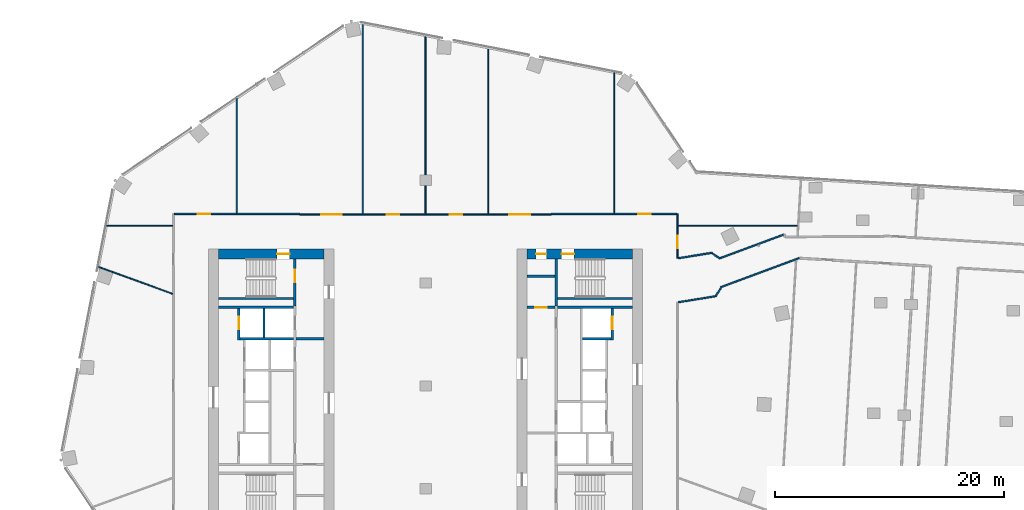
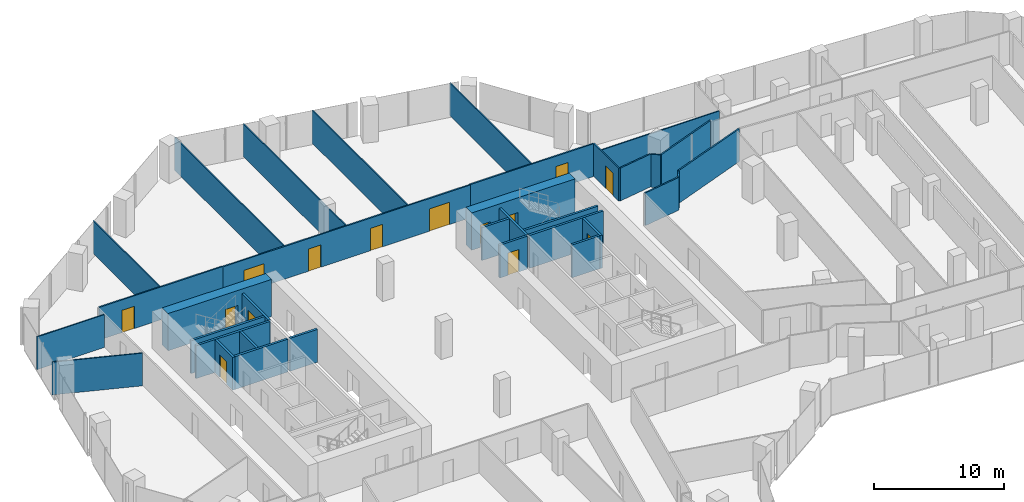
# One storey, part 26 of 32: 34 walls, 14 doors, 14 openings.
"""IFC4 building model written with IfcOpenShell, lengths in metres."""

from ifc_helpers import new_model, si_unit, direction, frame, frame_2d, origin, place, context, subcontext, project, spatial, rectangle, extrude, material, layer, layer_set, type_object, element, fill, save


model = new_model("IFC4")

# Units and contexts
model_context = context("Model", 3, precision=1e-05, world=origin(), true_north=direction((0.0, 1.0)))
body_context = subcontext(model_context, "Body", "Model", "MODEL_VIEW")
ifc_project = project(units=[si_unit("LENGTHUNIT", "METRE"), si_unit("AREAUNIT", "SQUARE_METRE"), si_unit("VOLUMEUNIT", "CUBIC_METRE"), si_unit("PLANEANGLEUNIT", "RADIAN"), si_unit("MASSUNIT", "GRAM", prefix="KILO")], contexts=[model_context])

# Site, building, storey
site_placement = place(None, origin())
site = spatial("IfcSite", under=ifc_project, at=site_placement, CompositionType="ELEMENT")
building_placement = place(site_placement, origin())
building = spatial("IfcBuilding", under=site, at=building_placement, Name="Orlundy Tower", CompositionType="ELEMENT")
storey_placement = place(building_placement, frame((0.0, 0.0, 152.60009765625)))
storey = spatial("IfcBuildingStorey", under=building, at=storey_placement, Name="L39", CompositionType="ELEMENT", Elevation=152.60009765625)

# Wall, opening, door
ifc_material_1 = material(Name="Concrete C70/85", Category="concrete")
ifc_layer_1 = layer(ifc_material_1, 0.89990234375)
ifc_layer_set_1 = layer_set([ifc_layer_1], Name="CORE WALL 900 C70/85")
wall_type_1 = type_object("IfcWallType", Name="CORE WALL 900 C70/85", PredefinedType="SHEAR", material=ifc_layer_set_1)
wall_1_placement = place(storey_placement, frame((-18.10009765625, 11.550048828125, 0.0), z_axis=(0.0, 0.0, 1.0), x_axis=(1.0, 0.0, 0.0)))
wall_1 = element("IfcWall", 1, at=wall_1_placement, inside=storey, type_object=wall_type_1, Name="Core wall W-N L39", PredefinedType="SHEAR", context=body_context, shape_type="SweptSolid", body=[
    extrude(rectangle(XDim=9.2001953125, YDim=0.89990234375, at=frame_2d((4.60009765625, 0.0))), origin(), (0.0, 0.0, 1.0), 3.5),
])
opening_1_placement = place(wall_1_placement, frame((5.10009765625, 0.0, 0.0)))
opening_1 = element("IfcOpeningElement", 2, at=opening_1_placement, cuts=wall_1, Name="Opening 30011", PredefinedType="OPENING", context=body_context, shape_type="SweptSolid", body=[
    extrude(rectangle(XDim=1.10009765625, YDim=2.10009765625, at=frame_2d((0.550048828125, 1.050048828125))), frame((0.0, 0.4599609375, 0.0), z_axis=(0.0, -1.0, 0.0), x_axis=(1.0, 0.0, 0.0)), (0.0, 0.0, 1.0), 0.919921875),
])
ifc_material_2 = material(Name="Steel door set", Category="steel")
door_type_1 = type_object("IfcDoorType", Name="Stair Door 1100x2100", OperationType="SINGLE_SWING_LEFT", PredefinedType="DOOR", material=ifc_material_2)
door_1_placement = place(opening_1_placement, origin())
door_1 = element("IfcDoor", 3, at=door_1_placement, inside=storey, type_object=door_type_1, Name="Stair door 30011", OperationType="SINGLE_SWING_RIGHT", OverallHeight=2.10009765625, OverallWidth=1.10009765625, PredefinedType="DOOR", context=body_context, shape_type="SweptSolid", body=[
    extrude(rectangle(XDim=1.10009765625, YDim=2.10009765625, at=frame_2d((0.550048828125, 1.050048828125))), frame((0.0, 0.02490234375, 0.0), z_axis=(0.0, -1.0, 0.0), x_axis=(1.0, 0.0, 0.0)), (0.0, 0.0, 1.0), 0.050048828125),
])
fill(opening_1, door_1)

# Wall, openings, doors
wall_2_placement = place(storey_placement, frame((8.89990234375, 11.550048828125, 0.0), z_axis=(0.0, 0.0, 1.0), x_axis=(1.0, 0.0, 0.0)))
wall_2 = element("IfcWall", 4, at=wall_2_placement, inside=storey, type_object=wall_type_1, Name="Core wall E-N L39", PredefinedType="SHEAR", context=body_context, shape_type="SweptSolid", body=[
    extrude(rectangle(XDim=9.2001953125, YDim=0.89990234375, at=frame_2d((4.60009765625, 0.0))), origin(), (0.0, 0.0, 1.0), 3.5),
])
opening_2_placement = place(wall_2_placement, frame((3.0, 0.0, 0.0)))
opening_2 = element("IfcOpeningElement", 5, at=opening_2_placement, cuts=wall_2, Name="Opening 30061", PredefinedType="OPENING", context=body_context, shape_type="SweptSolid", body=[
    extrude(rectangle(XDim=1.10009765625, YDim=2.10009765625, at=frame_2d((0.550048828125, 1.050048828125))), frame((0.0, 0.4599609375, 0.0), z_axis=(0.0, -1.0, 0.0), x_axis=(1.0, 0.0, 0.0)), (0.0, 0.0, 1.0), 0.919921875),
])
opening_3_placement = place(wall_2_placement, frame((0.77001953125, 0.0, 0.0)))
opening_3 = element("IfcOpeningElement", 6, at=opening_3_placement, cuts=wall_2, Name="Opening 30063", PredefinedType="OPENING", context=body_context, shape_type="SweptSolid", body=[
    extrude(rectangle(XDim=0.89990234375, YDim=2.10009765625, at=frame_2d((0.449951171875, 1.050048828125))), frame((0.0, 0.4599609375, 0.0), z_axis=(0.0, -1.0, 0.0), x_axis=(1.0, 0.0, 0.0)), (0.0, 0.0, 1.0), 0.919921875),
])
ifc_material_3 = material(Name="Timber door set", Category="wood")
door_type_2 = type_object("IfcDoorType", Name="Room Door 900x2100", OperationType="SINGLE_SWING_LEFT", PredefinedType="DOOR", material=ifc_material_3)
door_2_placement = place(opening_3_placement, origin())
door_2 = element("IfcDoor", 7, at=door_2_placement, inside=storey, type_object=door_type_2, Name="Store door 30063", OperationType="SINGLE_SWING_LEFT", OverallHeight=2.10009765625, OverallWidth=0.89990234375, PredefinedType="DOOR", context=body_context, shape_type="SweptSolid", body=[
    extrude(rectangle(XDim=0.89990234375, YDim=2.10009765625, at=frame_2d((0.449951171875, 1.050048828125))), frame((0.0, 0.02490234375, 0.0), z_axis=(0.0, -1.0, 0.0), x_axis=(1.0, 0.0, 0.0)), (0.0, 0.0, 1.0), 0.050048828125),
])
fill(opening_3, door_2)
door_3_placement = place(opening_2_placement, origin())
door_3 = element("IfcDoor", 8, at=door_3_placement, inside=storey, type_object=door_type_1, Name="Stair door 30061", OperationType="SINGLE_SWING_LEFT", OverallHeight=2.10009765625, OverallWidth=1.10009765625, PredefinedType="DOOR", context=body_context, shape_type="SweptSolid", body=[
    extrude(rectangle(XDim=1.10009765625, YDim=2.10009765625, at=frame_2d((0.550048828125, 1.050048828125))), frame((0.0, 0.02490234375, 0.0), z_axis=(0.0, -1.0, 0.0), x_axis=(1.0, 0.0, 0.0)), (0.0, 0.0, 1.0), 0.050048828125),
])
fill(opening_2, door_3)

# Walls
ifc_material_4 = material(Name="Gypsum board partition")
ifc_layer_2 = layer(ifc_material_4, 0.10009765625)
ifc_layer_set_2 = layer_set([ifc_layer_2], Name="Floor partition 100")
wall_type_2 = type_object("IfcWallType", Name="Floor partition 100", PredefinedType="PARTITIONING", material=ifc_layer_set_2)
wall_3_placement = place(storey_placement, frame((-28.780029296875, 10.47509765625, 0.0), z_axis=(0.0, 0.0, 1.0), x_axis=(0.93970576126, -0.341984038011, 0.0)))
element("IfcWall", 9, at=wall_3_placement, inside=storey, type_object=wall_type_2, Name="wall-int-L39-011", PredefinedType="PARTITIONING", context=body_context, shape_type="SweptSolid", body=[
    extrude(rectangle(XDim=7.076904296875, YDim=0.10009765625, at=frame_2d((3.53857421875, 0.0))), origin(), (0.0, 0.0, 1.0), 3.079833984375),
])
wall_4_placement = place(storey_placement, frame((-28.094970703125, 14.0, 0.0), z_axis=(0.0, 0.0, 1.0), x_axis=(1.0, 0.0, 0.0)))
element("IfcWall", 10, at=wall_4_placement, inside=storey, type_object=wall_type_2, Name="wall-int-L39-053", PredefinedType="PARTITIONING", context=body_context, shape_type="SweptSolid", body=[
    extrude(rectangle(XDim=5.98193359375, YDim=0.10009765625, at=frame_2d((2.990966796875, 0.0))), origin(), (0.0, 0.0, 1.0), 3.079833984375),
])
wall_5_placement = place(storey_placement, frame((22.113037109375, 14.0, 0.0), z_axis=(0.0, 0.0, 1.0), x_axis=(1.0, 0.0, 0.0)))
element("IfcWall", 11, at=wall_5_placement, inside=storey, type_object=wall_type_2, Name="wall-int-L39-054", PredefinedType="PARTITIONING", context=body_context, shape_type="SweptSolid", body=[
    extrude(rectangle(XDim=10.446044921875, YDim=0.10009765625, at=frame_2d((5.22314453125, 0.0))), origin(), (0.0, 0.0, 1.0), 3.079833984375),
])
wall_6_placement = place(storey_placement, frame((16.52099609375, 15.114013671875, 0.0), z_axis=(0.0, 0.0, 1.0), x_axis=(0.0, 1.0, 0.0)))
element("IfcWall", 12, at=wall_6_placement, inside=storey, type_object=wall_type_2, Name="wall-int-L39-099", PredefinedType="PARTITIONING", context=body_context, shape_type="SweptSolid", body=[
    extrude(rectangle(XDim=12.490966796875, YDim=0.10009765625, at=frame_2d((6.24560546875, 0.0))), origin(), (0.0, 0.0, 1.0), 3.079833984375),
])
wall_7_placement = place(storey_placement, frame((5.4951171875, 15.06298828125, 0.0), z_axis=(0.0, 0.0, 1.0), x_axis=(0.0, 1.0, 0.0)))
element("IfcWall", 13, at=wall_7_placement, inside=storey, type_object=wall_type_2, Name="wall-int-L39-100", PredefinedType="PARTITIONING", context=body_context, shape_type="SweptSolid", body=[
    extrude(rectangle(XDim=14.68505859375, YDim=0.10009765625, at=frame_2d((7.342529296875, 0.0))), origin(), (0.0, 0.0, 1.0), 3.079833984375),
])
wall_8_placement = place(storey_placement, frame((0.0, 15.06298828125, 0.0), z_axis=(0.0, 0.0, 1.0), x_axis=(0.0, 1.0, 0.0)))
element("IfcWall", 14, at=wall_8_placement, inside=storey, type_object=wall_type_2, Name="wall-int-L39-102", PredefinedType="PARTITIONING", context=body_context, shape_type="SweptSolid", body=[
    extrude(rectangle(XDim=15.7529296875, YDim=0.10009765625, at=frame_2d((7.87646484375, 0.0))), origin(), (0.0, 0.0, 1.0), 3.079833984375),
])
wall_9_placement = place(storey_placement, frame((-5.4951171875, 15.06298828125, 0.0), z_axis=(0.0, 0.0, 1.0), x_axis=(0.0, 1.0, 0.0)))
element("IfcWall", 15, at=wall_9_placement, inside=storey, type_object=wall_type_2, Name="wall-int-L39-103", PredefinedType="PARTITIONING", context=body_context, shape_type="SweptSolid", body=[
    extrude(rectangle(XDim=16.821044921875, YDim=0.10009765625, at=frame_2d((8.41064453125, 0.0))), origin(), (0.0, 0.0, 1.0), 3.079833984375),
])
wall_10_placement = place(storey_placement, frame((-16.52001953125, 15.114013671875, 0.0), z_axis=(0.0, 0.0, 1.0), x_axis=(0.0, 1.0, 0.0)))
element("IfcWall", 16, at=wall_10_placement, inside=storey, type_object=wall_type_2, Name="wall-int-L39-104", PredefinedType="PARTITIONING", context=body_context, shape_type="SweptSolid", body=[
    extrude(rectangle(XDim=10.23095703125, YDim=0.10009765625, at=frame_2d((5.115478515625, 0.0))), origin(), (0.0, 0.0, 1.0), 3.079833984375),
])
ifc_material_5 = material(Name="Gypsum board partition, double layer")
ifc_layer_3 = layer(ifc_material_5, 0.125)
ifc_layer_set_3 = layer_set([ifc_layer_3], Name="Floor partition 125")
wall_type_3 = type_object("IfcWallType", Name="Floor partition 125", PredefinedType="PARTITIONING", material=ifc_layer_set_3)
wall_11_placement = place(storey_placement, frame((25.844970703125, 8.554931640625, 0.0), z_axis=(0.0, 0.0, 1.0), x_axis=(-0.541888467868, -0.84045040805, 0.0)))
element("IfcWall", 17, at=wall_11_placement, inside=storey, type_object=wall_type_3, Name="wall-int-L39-006", PredefinedType="PARTITIONING", context=body_context, shape_type="SweptSolid", body=[
    extrude(rectangle(XDim=0.83984375, YDim=0.125, at=frame_2d((0.419921875, 0.0))), origin(), (0.0, 0.0, 1.0), 3.079833984375),
])
wall_12_placement = place(storey_placement, frame((25.114990234375, 11.591064453125, 0.0), z_axis=(0.0, 0.0, 1.0), x_axis=(0.822768476523, -0.568376665636, 0.0)))
element("IfcWall", 18, at=wall_12_placement, inside=storey, type_object=wall_type_3, Name="wall-int-L39-007", PredefinedType="PARTITIONING", context=body_context, shape_type="SweptSolid", body=[
    extrude(rectangle(XDim=0.761962890625, YDim=0.125, at=frame_2d((0.380859375, 0.0))), origin(), (0.0, 0.0, 1.0), 3.079833984375),
])

# Wall, openings, doors
wall_13_placement = place(storey_placement, frame((-10.989990234375, 15.0009765625, 0.0), z_axis=(0.0, 0.0, 1.0), x_axis=(1.0, 0.0, 0.0)))
wall_13 = element("IfcWall", 19, at=wall_13_placement, inside=storey, type_object=wall_type_3, Name="wall-int-L39-055", PredefinedType="PARTITIONING", context=body_context, shape_type="SweptSolid", body=[
    extrude(rectangle(XDim=21.97998046875, YDim=0.125, at=frame_2d((10.989990234375, 0.0))), origin(), (0.0, 0.0, 1.0), 3.079833984375),
])
opening_4_placement = place(wall_13_placement, frame((18.3349609375, 0.0, 0.0)))
opening_4 = element("IfcOpeningElement", 20, at=opening_4_placement, cuts=wall_13, Name="Opening 30130", PredefinedType="OPENING", context=body_context, shape_type="SweptSolid", body=[
    extrude(rectangle(XDim=1.800048828125, YDim=2.10009765625, at=frame_2d((0.89990234375, 1.050048828125))), frame((0.0, 0.072509765625, 0.0), z_axis=(0.0, -1.0, 0.0), x_axis=(1.0, 0.0, 0.0)), (0.0, 0.0, 1.0), 0.14501953125),
])
opening_5_placement = place(wall_13_placement, frame((13.090087890625, 0.0, 0.0)))
opening_5 = element("IfcOpeningElement", 21, at=opening_5_placement, cuts=wall_13, Name="Opening 30131", PredefinedType="OPENING", context=body_context, shape_type="SweptSolid", body=[
    extrude(rectangle(XDim=1.10009765625, YDim=2.10009765625, at=frame_2d((0.550048828125, 1.050048828125))), frame((0.0, 0.072509765625, 0.0), z_axis=(0.0, -1.0, 0.0), x_axis=(1.0, 0.0, 0.0)), (0.0, 0.0, 1.0), 0.14501953125),
])
opening_6_placement = place(wall_13_placement, frame((7.594970703125, 0.0, 0.0)))
opening_6 = element("IfcOpeningElement", 22, at=opening_6_placement, cuts=wall_13, Name="Opening 30132", PredefinedType="OPENING", context=body_context, shape_type="SweptSolid", body=[
    extrude(rectangle(XDim=1.10009765625, YDim=2.10009765625, at=frame_2d((0.550048828125, 1.050048828125))), frame((0.0, 0.072509765625, 0.0), z_axis=(0.0, -1.0, 0.0), x_axis=(1.0, 0.0, 0.0)), (0.0, 0.0, 1.0), 0.14501953125),
])
opening_7_placement = place(wall_13_placement, frame((1.85009765625, 0.0, 0.0)))
opening_7 = element("IfcOpeningElement", 23, at=opening_7_placement, cuts=wall_13, Name="Opening 30133", PredefinedType="OPENING", context=body_context, shape_type="SweptSolid", body=[
    extrude(rectangle(XDim=1.800048828125, YDim=2.10009765625, at=frame_2d((0.89990234375, 1.050048828125))), frame((0.0, 0.072509765625, 0.0), z_axis=(0.0, -1.0, 0.0), x_axis=(1.0, 0.0, 0.0)), (0.0, 0.0, 1.0), 0.14501953125),
])
ifc_material_6 = material(Name="Timber door leaf", Category="wood")
door_type_3 = type_object("IfcDoorType", Name="Floor door double 1800 FD30S", OperationType="NOTDEFINED", PredefinedType="DOOR", material=ifc_material_6)
door_4_placement = place(opening_4_placement, origin())
door_4 = element("IfcDoor", 24, at=door_4_placement, inside=storey, type_object=door_type_3, Name="Door 30130", OperationType="DOUBLE_DOOR_SINGLE_SWING", OverallHeight=2.10009765625, OverallWidth=1.800048828125, PredefinedType="DOOR", context=body_context, shape_type="SweptSolid", body=[
    extrude(rectangle(XDim=1.800048828125, YDim=2.10009765625, at=frame_2d((0.89990234375, 1.050048828125))), frame((0.0, 0.02490234375, 0.0), z_axis=(0.0, -1.0, 0.0), x_axis=(1.0, 0.0, 0.0)), (0.0, 0.0, 1.0), 0.050048828125),
])
fill(opening_4, door_4)
door_5_placement = place(opening_7_placement, origin())
door_5 = element("IfcDoor", 25, at=door_5_placement, inside=storey, type_object=door_type_3, Name="Door 30133", OperationType="DOUBLE_DOOR_SINGLE_SWING", OverallHeight=2.10009765625, OverallWidth=1.800048828125, PredefinedType="DOOR", context=body_context, shape_type="SweptSolid", body=[
    extrude(rectangle(XDim=1.800048828125, YDim=2.10009765625, at=frame_2d((0.89990234375, 1.050048828125))), frame((0.0, 0.02490234375, 0.0), z_axis=(0.0, -1.0, 0.0), x_axis=(1.0, 0.0, 0.0)), (0.0, 0.0, 1.0), 0.050048828125),
])
fill(opening_7, door_5)
ifc_material_7 = material(Name="Timber door leaf", Category="wood")
door_type_4 = type_object("IfcDoorType", Name="Floor door xwide 1100 FD30S", OperationType="NOTDEFINED", PredefinedType="DOOR", material=ifc_material_7)
door_6_placement = place(opening_5_placement, origin())
door_6 = element("IfcDoor", 26, at=door_6_placement, inside=storey, type_object=door_type_4, Name="Door 30131", OperationType="SINGLE_SWING_RIGHT", OverallHeight=2.10009765625, OverallWidth=1.10009765625, PredefinedType="DOOR", context=body_context, shape_type="SweptSolid", body=[
    extrude(rectangle(XDim=1.10009765625, YDim=2.10009765625, at=frame_2d((0.550048828125, 1.050048828125))), frame((0.0, 0.02490234375, 0.0), z_axis=(0.0, -1.0, 0.0), x_axis=(1.0, 0.0, 0.0)), (0.0, 0.0, 1.0), 0.050048828125),
])
fill(opening_5, door_6)
door_7_placement = place(opening_6_placement, origin())
door_7 = element("IfcDoor", 27, at=door_7_placement, inside=storey, type_object=door_type_4, Name="Door 30132", OperationType="SINGLE_SWING_LEFT", OverallHeight=2.10009765625, OverallWidth=1.10009765625, PredefinedType="DOOR", context=body_context, shape_type="SweptSolid", body=[
    extrude(rectangle(XDim=1.10009765625, YDim=2.10009765625, at=frame_2d((0.550048828125, 1.050048828125))), frame((0.0, 0.02490234375, 0.0), z_axis=(0.0, -1.0, 0.0), x_axis=(1.0, 0.0, 0.0)), (0.0, 0.0, 1.0), 0.050048828125),
])
fill(opening_6, door_7)

# Wall, opening, door
wall_14_placement = place(storey_placement, frame((-21.988037109375, 15.051025390625, 0.0), z_axis=(0.0, 0.0, 1.0), x_axis=(1.0, 0.0, 0.0)))
wall_14 = element("IfcWall", 28, at=wall_14_placement, inside=storey, type_object=wall_type_3, Name="wall-int-L39-056", PredefinedType="PARTITIONING", context=body_context, shape_type="SweptSolid", body=[
    extrude(rectangle(XDim=10.9970703125, YDim=0.125, at=frame_2d((5.49853515625, 0.0))), origin(), (0.0, 0.0, 1.0), 3.079833984375),
])
opening_8_placement = place(wall_14_placement, frame((2.03759765625, 0.0, 0.0)))
opening_8 = element("IfcOpeningElement", 29, at=opening_8_placement, cuts=wall_14, Name="Opening 30134", PredefinedType="OPENING", context=body_context, shape_type="SweptSolid", body=[
    extrude(rectangle(XDim=1.10009765625, YDim=2.10009765625, at=frame_2d((0.550048828125, 1.050048828125))), frame((0.0, 0.072509765625, 0.0), z_axis=(0.0, -1.0, 0.0), x_axis=(1.0, 0.0, 0.0)), (0.0, 0.0, 1.0), 0.14501953125),
])
door_8_placement = place(opening_8_placement, origin())
door_8 = element("IfcDoor", 30, at=door_8_placement, inside=storey, type_object=door_type_4, Name="Door 30134", OperationType="SINGLE_SWING_LEFT", OverallHeight=2.10009765625, OverallWidth=1.10009765625, PredefinedType="DOOR", context=body_context, shape_type="SweptSolid", body=[
    extrude(rectangle(XDim=1.10009765625, YDim=2.10009765625, at=frame_2d((0.550048828125, 1.050048828125))), frame((0.0, 0.02490234375, 0.0), z_axis=(0.0, -1.0, 0.0), x_axis=(1.0, 0.0, 0.0)), (0.0, 0.0, 1.0), 0.050048828125),
])
fill(opening_8, door_8)

wall_15_placement = place(storey_placement, frame((10.990966796875, 15.051025390625, 0.0), z_axis=(0.0, 0.0, 1.0), x_axis=(1.0, 0.0, 0.0)))
wall_15 = element("IfcWall", 31, at=wall_15_placement, inside=storey, type_object=wall_type_3, Name="wall-int-L39-057", PredefinedType="PARTITIONING", context=body_context, shape_type="SweptSolid", body=[
    extrude(rectangle(XDim=10.9970703125, YDim=0.125, at=frame_2d((5.49853515625, 0.0))), origin(), (0.0, 0.0, 1.0), 3.079833984375),
])
opening_9_placement = place(wall_15_placement, frame((7.6298828125, 0.0, 0.0)))
opening_9 = element("IfcOpeningElement", 32, at=opening_9_placement, cuts=wall_15, Name="Opening 30129", PredefinedType="OPENING", context=body_context, shape_type="SweptSolid", body=[
    extrude(rectangle(XDim=1.10009765625, YDim=2.10009765625, at=frame_2d((0.550048828125, 1.050048828125))), frame((0.0, 0.072509765625, 0.0), z_axis=(0.0, -1.0, 0.0), x_axis=(1.0, 0.0, 0.0)), (0.0, 0.0, 1.0), 0.14501953125),
])
door_9_placement = place(opening_9_placement, origin())
door_9 = element("IfcDoor", 33, at=door_9_placement, inside=storey, type_object=door_type_4, Name="Door 30129", OperationType="SINGLE_SWING_RIGHT", OverallHeight=2.10009765625, OverallWidth=1.10009765625, PredefinedType="DOOR", context=body_context, shape_type="SweptSolid", body=[
    extrude(rectangle(XDim=1.10009765625, YDim=2.10009765625, at=frame_2d((0.550048828125, 1.050048828125))), frame((0.0, 0.02490234375, 0.0), z_axis=(0.0, -1.0, 0.0), x_axis=(1.0, 0.0, 0.0)), (0.0, 0.0, 1.0), 0.050048828125),
])
fill(opening_9, door_9)

# Walls
wall_16_placement = place(storey_placement, frame((25.389892578125, 7.84912109375, 0.0), z_axis=(0.0, 0.0, 1.0), x_axis=(-0.987169785664, -0.159674087668, 0.0)))
element("IfcWall", 34, at=wall_16_placement, inside=storey, type_object=wall_type_3, Name="wall-int-L39-058", PredefinedType="PARTITIONING", context=body_context, shape_type="SweptSolid", body=[
    extrude(rectangle(XDim=3.3193359375, YDim=0.125, at=frame_2d((1.65966796875, 0.0))), origin(), (0.0, 0.0, 1.0), 3.079833984375),
])
wall_17_placement = place(storey_placement, frame((22.113037109375, 11.169921875, 0.0), z_axis=(0.0, 0.0, 1.0), x_axis=(0.987210874087, 0.159419854738, 0.0)))
element("IfcWall", 35, at=wall_17_placement, inside=storey, type_object=wall_type_3, Name="wall-int-L39-059", PredefinedType="PARTITIONING", context=body_context, shape_type="SweptSolid", body=[
    extrude(rectangle(XDim=3.03076171875, YDim=0.125, at=frame_2d((1.515380859375, 0.0))), origin(), (0.0, 0.0, 1.0), 3.079833984375),
])
wall_18_placement = place(storey_placement, frame((25.8330078125, 8.6298828125, 0.0), z_axis=(0.0, 0.0, 1.0), x_axis=(0.93725557741, 0.348643059037, 0.0)))
element("IfcWall", 36, at=wall_18_placement, inside=storey, type_object=wall_type_3, Name="wall-int-L39-061", PredefinedType="PARTITIONING", context=body_context, shape_type="SweptSolid", body=[
    extrude(rectangle(XDim=7.31689453125, YDim=0.125, at=frame_2d((3.658447265625, 0.0))), origin(), (0.0, 0.0, 1.0), 3.079833984375),
])
wall_19_placement = place(storey_placement, frame((25.741943359375, 11.157958984375, 0.0), z_axis=(0.0, 0.0, 1.0), x_axis=(0.937195672542, 0.348804058705, 0.0)))
element("IfcWall", 37, at=wall_19_placement, inside=storey, type_object=wall_type_3, Name="wall-int-L39-062", PredefinedType="PARTITIONING", context=body_context, shape_type="SweptSolid", body=[
    extrude(rectangle(XDim=5.955078125, YDim=0.125, at=frame_2d((2.9775390625, 0.0))), origin(), (0.0, 0.0, 1.0), 3.079833984375),
])

# Wall, opening, door
wall_20_placement = place(storey_placement, frame((22.051025390625, 15.050048828125, 0.0), z_axis=(0.0, 0.0, 1.0), x_axis=(0.0, -1.0, 0.0)))
wall_20 = element("IfcWall", 38, at=wall_20_placement, inside=storey, type_object=wall_type_3, Name="wall-int-L39-098", PredefinedType="PARTITIONING", context=body_context, shape_type="SweptSolid", body=[
    extrude(rectangle(XDim=3.89013671875, YDim=0.125, at=frame_2d((1.945068359375, 0.0))), origin(), (0.0, 0.0, 1.0), 3.079833984375),
])
opening_10_placement = place(wall_20_placement, frame((1.89990234375, 0.0, 0.0)))
opening_10 = element("IfcOpeningElement", 39, at=opening_10_placement, cuts=wall_20, Name="Opening 30128", PredefinedType="OPENING", context=body_context, shape_type="SweptSolid", body=[
    extrude(rectangle(XDim=1.10009765625, YDim=2.10009765625, at=frame_2d((0.550048828125, 1.050048828125))), frame((0.0, 0.072509765625, 0.0), z_axis=(0.0, -1.0, 0.0), x_axis=(1.0, 0.0, 0.0)), (0.0, 0.0, 1.0), 0.14501953125),
])
door_10_placement = place(opening_10_placement, origin())
door_10 = element("IfcDoor", 40, at=door_10_placement, inside=storey, type_object=door_type_4, Name="Door 30128", OperationType="SINGLE_SWING_RIGHT", OverallHeight=2.10009765625, OverallWidth=1.10009765625, PredefinedType="DOOR", context=body_context, shape_type="SweptSolid", body=[
    extrude(rectangle(XDim=1.10009765625, YDim=2.10009765625, at=frame_2d((0.550048828125, 1.050048828125))), frame((0.0, 0.02490234375, 0.0), z_axis=(0.0, -1.0, 0.0), x_axis=(1.0, 0.0, 0.0)), (0.0, 0.0, 1.0), 0.050048828125),
])
fill(opening_10, door_10)

ifc_material_8 = material(Name="Concrete C40/50", Category="concrete")
ifc_layer_4 = layer(ifc_material_8, 0.199951171875)
ifc_layer_set_4 = layer_set([ifc_layer_4], Name="Load-bearing Shaft Wall 200")
wall_type_4 = type_object("IfcWallType", Name="Load-bearing Shaft Wall 200", PredefinedType="SOLIDWALL", material=ifc_layer_set_4)
wall_21_placement = place(storey_placement, frame((-11.43994140625, 6.97509765625, 0.0), z_axis=(0.0, 0.0, 1.0), x_axis=(0.0, 1.0, 0.0)))
wall_21 = element("IfcWall", 41, at=wall_21_placement, inside=storey, type_object=wall_type_4, Name="Shaft wall W30-stair-end-n", PredefinedType="SOLIDWALL", context=body_context, shape_type="SweptSolid", body=[
    extrude(rectangle(XDim=4.125, YDim=0.199951171875, at=frame_2d((2.0625, 0.0))), origin(), (0.0, 0.0, 1.0), 3.08984375),
])
opening_11_placement = place(wall_21_placement, frame((2.10009765625, 0.0, 0.0)))
opening_11 = element("IfcOpeningElement", 42, at=opening_11_placement, cuts=wall_21, Name="Opening 30013", PredefinedType="OPENING", context=body_context, shape_type="SweptSolid", body=[
    extrude(rectangle(XDim=1.10009765625, YDim=2.10009765625, at=frame_2d((0.550048828125, 1.050048828125))), frame((0.0, 0.110107421875, 0.0), z_axis=(0.0, -1.0, 0.0), x_axis=(1.0, 0.0, 0.0)), (0.0, 0.0, 1.0), 0.22021484375),
])
ifc_material_9 = material(Name="Steel door set", Category="steel")
door_type_5 = type_object("IfcDoorType", Name="Fire-fighting Lobby Door 1100x2100", OperationType="SINGLE_SWING_LEFT", PredefinedType="DOOR", material=ifc_material_9)
door_11_placement = place(opening_11_placement, origin())
door_11 = element("IfcDoor", 43, at=door_11_placement, inside=storey, type_object=door_type_5, Name="Fire-fighting lobby to stair door 30013", OperationType="SINGLE_SWING_RIGHT", OverallHeight=2.10009765625, OverallWidth=1.10009765625, PredefinedType="DOOR", context=body_context, shape_type="SweptSolid", body=[
    extrude(rectangle(XDim=1.10009765625, YDim=2.10009765625, at=frame_2d((0.550048828125, 1.050048828125))), frame((0.0, 0.02490234375, 0.0), z_axis=(0.0, -1.0, 0.0), x_axis=(1.0, 0.0, 0.0)), (0.0, 0.0, 1.0), 0.050048828125),
])
fill(opening_11, door_11)

# Walls
wall_22_placement = place(storey_placement, frame((-11.5400390625, 7.64990234375, 0.0), z_axis=(0.0, 0.0, 1.0), x_axis=(-1.0, 0.0, 0.0)))
element("IfcWall", 44, at=wall_22_placement, inside=storey, type_object=wall_type_4, Name="Shaft wall W30-stair-side-n", PredefinedType="SOLIDWALL", context=body_context, shape_type="SweptSolid", body=[
    extrude(rectangle(XDim=6.56005859375, YDim=0.199951171875, at=frame_2d((3.280029296875, 0.0))), origin(), (0.0, 0.0, 1.0), 3.08984375),
])
wall_23_placement = place(storey_placement, frame((11.43994140625, 11.10009765625, 0.0), z_axis=(0.0, 0.0, 1.0), x_axis=(0.0, -1.0, 0.0)))
element("IfcWall", 45, at=wall_23_placement, inside=storey, type_object=wall_type_4, Name="Shaft wall E30-stair-end-s", PredefinedType="SOLIDWALL", context=body_context, shape_type="SweptSolid", body=[
    extrude(rectangle(XDim=4.125, YDim=0.199951171875, at=frame_2d((2.0625, 0.0))), origin(), (0.0, 0.0, 1.0), 3.08984375),
])
wall_24_placement = place(storey_placement, frame((11.5400390625, 7.64990234375, 0.0), z_axis=(0.0, 0.0, 1.0), x_axis=(1.0, 0.0, 0.0)))
element("IfcWall", 46, at=wall_24_placement, inside=storey, type_object=wall_type_4, Name="Shaft wall E30-stair-side-s", PredefinedType="SOLIDWALL", context=body_context, shape_type="SweptSolid", body=[
    extrude(rectangle(XDim=6.56005859375, YDim=0.199951171875, at=frame_2d((3.280029296875, 0.0))), origin(), (0.0, 0.0, 1.0), 3.08984375),
])
ifc_material_10 = material(Name="Gypsum board partition on steel studs", Category="steel")
ifc_layer_5 = layer(ifc_material_10, 0.199951171875)
ifc_layer_set_5 = layer_set([ifc_layer_5], Name="Partition 200")
wall_type_5 = type_object("IfcWallType", Name="Partition 200", PredefinedType="PARTITIONING", material=ifc_layer_set_5)
wall_25_placement = place(storey_placement, frame((-8.89990234375, 4.125, 0.0), z_axis=(0.0, 0.0, 1.0), x_axis=(-1.0, 0.0, 0.0)))
element("IfcWall", 47, at=wall_25_placement, inside=storey, type_object=wall_type_5, Name="Partition wall W30-lobby-n", PredefinedType="PARTITIONING", context=body_context, shape_type="SweptSolid", body=[
    extrude(rectangle(XDim=2.440185546875, YDim=0.199951171875, at=frame_2d((1.22021484375, 0.0))), origin(), (0.0, 0.0, 1.0), 3.08984375),
])

# Wall, opening, door
wall_26_placement = place(storey_placement, frame((8.89990234375, 6.875, 0.0), z_axis=(0.0, 0.0, 1.0), x_axis=(1.0, 0.0, 0.0)))
wall_26 = element("IfcWall", 48, at=wall_26_placement, inside=storey, type_object=wall_type_5, Name="Partition wall E30-end-s", PredefinedType="PARTITIONING", context=body_context, shape_type="SweptSolid", body=[
    extrude(rectangle(XDim=2.440185546875, YDim=0.199951171875, at=frame_2d((1.22021484375, 0.0))), origin(), (0.0, 0.0, 1.0), 3.08984375),
])
opening_12_placement = place(wall_26_placement, frame((0.719970703125, 0.0, 0.0)))
opening_12 = element("IfcOpeningElement", 49, at=opening_12_placement, cuts=wall_26, Name="Opening 30064", PredefinedType="OPENING", context=body_context, shape_type="SweptSolid", body=[
    extrude(rectangle(XDim=1.0, YDim=2.10009765625, at=frame_2d((0.5, 1.050048828125))), frame((0.0, 0.110107421875, 0.0), z_axis=(0.0, -1.0, 0.0), x_axis=(1.0, 0.0, 0.0)), (0.0, 0.0, 1.0), 0.22021484375),
])
ifc_material_11 = material(Name="Timber door set", Category="wood")
door_type_6 = type_object("IfcDoorType", Name="Accessible Door 1000x2100", OperationType="SINGLE_SWING_LEFT", PredefinedType="DOOR", material=ifc_material_11)
door_12_placement = place(opening_12_placement, origin())
door_12 = element("IfcDoor", 50, at=door_12_placement, inside=storey, type_object=door_type_6, Name="Accessible WC door 30064", OperationType="SINGLE_SWING_RIGHT", OverallHeight=2.10009765625, OverallWidth=1.0, PredefinedType="DOOR", context=body_context, shape_type="SweptSolid", body=[
    extrude(rectangle(XDim=1.0, YDim=2.10009765625, at=frame_2d((0.5, 1.050048828125))), frame((0.0, 0.02490234375, 0.0), z_axis=(0.0, -1.0, 0.0), x_axis=(1.0, 0.0, 0.0)), (0.0, 0.0, 1.0), 0.050048828125),
])
fill(opening_12, door_12)

# Walls
wall_27_placement = place(storey_placement, frame((8.89990234375, 9.60009765625, 0.0), z_axis=(0.0, 0.0, 1.0), x_axis=(1.0, 0.0, 0.0)))
element("IfcWall", 51, at=wall_27_placement, inside=storey, type_object=wall_type_5, Name="Partition wall E30-room-s0", PredefinedType="PARTITIONING", context=body_context, shape_type="SweptSolid", body=[
    extrude(rectangle(XDim=2.440185546875, YDim=0.199951171875, at=frame_2d((1.22021484375, 0.0))), origin(), (0.0, 0.0, 1.0), 3.08984375),
])
ifc_material_12 = material(Name="Fire-rated blockwork shaft wall", Category="masonry")
ifc_layer_6 = layer(ifc_material_12, 0.199951171875)
ifc_layer_set_6 = layer_set([ifc_layer_6], Name="Shaft Wall 200")
wall_type_6 = type_object("IfcWallType", Name="Shaft Wall 200", PredefinedType="SOLIDWALL", material=ifc_layer_set_6)
wall_28_placement = place(storey_placement, frame((-11.5400390625, 6.875, 0.0), z_axis=(0.0, 0.0, 1.0), x_axis=(-1.0, 0.0, 0.0)))
element("IfcWall", 52, at=wall_28_placement, inside=storey, type_object=wall_type_6, Name="Shaft wall W30-zone-n", PredefinedType="SOLIDWALL", context=body_context, shape_type="SweptSolid", body=[
    extrude(rectangle(XDim=6.56005859375, YDim=0.199951171875, at=frame_2d((3.280029296875, 0.0))), origin(), (0.0, 0.0, 1.0), 3.08984375),
])
wall_29_placement = place(storey_placement, frame((-11.5400390625, 4.125, 0.0), z_axis=(0.0, 0.0, 1.0), x_axis=(-1.0, 0.0, 0.0)))
element("IfcWall", 53, at=wall_29_placement, inside=storey, type_object=wall_type_6, Name="Shaft wall W30-cross+4.125", PredefinedType="SOLIDWALL", context=body_context, shape_type="SweptSolid", body=[
    extrude(rectangle(XDim=4.699951171875, YDim=0.199951171875, at=frame_2d((2.35009765625, 0.0))), origin(), (0.0, 0.0, 1.0), 3.08984375),
])
wall_30_placement = place(storey_placement, frame((-14.139892578125, 4.22509765625, 0.0), z_axis=(0.0, 0.0, 1.0), x_axis=(0.0, 1.0, 0.0)))
element("IfcWall", 54, at=wall_30_placement, inside=storey, type_object=wall_type_6, Name="Shaft wall W30-mid-b", PredefinedType="SOLIDWALL", context=body_context, shape_type="SweptSolid", body=[
    extrude(rectangle(XDim=2.5498046875, YDim=0.199951171875, at=frame_2d((1.27490234375, 0.0))), origin(), (0.0, 0.0, 1.0), 3.08984375),
])

# Wall, opening, door
wall_31_placement = place(storey_placement, frame((-16.340087890625, 4.02490234375, 0.0), z_axis=(0.0, 0.0, 1.0), x_axis=(0.0, 1.0, 0.0)))
wall_31 = element("IfcWall", 55, at=wall_31_placement, inside=storey, type_object=wall_type_6, Name="Shaft wall W30-front-o-c", PredefinedType="SOLIDWALL", context=body_context, shape_type="SweptSolid", body=[
    extrude(rectangle(XDim=2.75, YDim=0.199951171875, at=frame_2d((1.375, 0.0))), origin(), (0.0, 0.0, 1.0), 3.08984375),
])
opening_13_placement = place(wall_31_placement, frame((0.925048828125, 0.0, 0.0)))
opening_13 = element("IfcOpeningElement", 56, at=opening_13_placement, cuts=wall_31, Name="Opening 30006", PredefinedType="OPENING", context=body_context, shape_type="SweptSolid", body=[
    extrude(rectangle(XDim=1.10009765625, YDim=2.10009765625, at=frame_2d((0.550048828125, 1.050048828125))), frame((0.0, 0.110107421875, 0.0), z_axis=(0.0, -1.0, 0.0), x_axis=(1.0, 0.0, 0.0)), (0.0, 0.0, 1.0), 0.22021484375),
])
ifc_material_13 = material(Name="Steel door set", Category="steel")
door_type_7 = type_object("IfcDoorType", Name="Landing Door 1100x2100", OperationType="DOUBLE_DOOR_SLIDING", PredefinedType="DOOR", material=ifc_material_13)
door_13_placement = place(opening_13_placement, origin())
door_13 = element("IfcDoor", 57, at=door_13_placement, inside=storey, type_object=door_type_7, Name="Lift landing door LP-14 30006", OperationType="DOUBLE_DOOR_SLIDING", OverallHeight=2.10009765625, OverallWidth=1.10009765625, PredefinedType="DOOR", context=body_context, shape_type="SweptSolid", body=[
    extrude(rectangle(XDim=1.10009765625, YDim=2.10009765625, at=frame_2d((0.550048828125, 1.050048828125))), frame((0.0, 0.02490234375, 0.0), z_axis=(0.0, -1.0, 0.0), x_axis=(1.0, 0.0, 0.0)), (0.0, 0.0, 1.0), 0.050048828125),
])
fill(opening_13, door_13)

# Walls
wall_32_placement = place(storey_placement, frame((11.5400390625, 6.875, 0.0), z_axis=(0.0, 0.0, 1.0), x_axis=(1.0, 0.0, 0.0)))
element("IfcWall", 58, at=wall_32_placement, inside=storey, type_object=wall_type_6, Name="Shaft wall E30-zone-s", PredefinedType="SOLIDWALL", context=body_context, shape_type="SweptSolid", body=[
    extrude(rectangle(XDim=6.56005859375, YDim=0.199951171875, at=frame_2d((3.280029296875, 0.0))), origin(), (0.0, 0.0, 1.0), 3.08984375),
])
wall_33_placement = place(storey_placement, frame((13.739990234375, 4.125, 0.0), z_axis=(0.0, 0.0, 1.0), x_axis=(1.0, 0.0, 0.0)))
element("IfcWall", 59, at=wall_33_placement, inside=storey, type_object=wall_type_6, Name="Shaft wall E30-cross-4.125", PredefinedType="SOLIDWALL", context=body_context, shape_type="SweptSolid", body=[
    extrude(rectangle(XDim=2.5, YDim=0.199951171875, at=frame_2d((1.25, 0.0))), origin(), (0.0, 0.0, 1.0), 3.08984375),
])

# Wall, opening, door
wall_34_placement = place(storey_placement, frame((16.340087890625, 6.77490234375, 0.0), z_axis=(0.0, 0.0, 1.0), x_axis=(0.0, -1.0, 0.0)))
wall_34 = element("IfcWall", 60, at=wall_34_placement, inside=storey, type_object=wall_type_6, Name="Shaft wall E30-front-o-a", PredefinedType="SOLIDWALL", context=body_context, shape_type="SweptSolid", body=[
    extrude(rectangle(XDim=2.75, YDim=0.199951171875, at=frame_2d((1.375, 0.0))), origin(), (0.0, 0.0, 1.0), 3.08984375),
])
opening_14_placement = place(wall_34_placement, frame((0.72509765625, 0.0, 0.0)))
opening_14 = element("IfcOpeningElement", 61, at=opening_14_placement, cuts=wall_34, Name="Opening 30050", PredefinedType="OPENING", context=body_context, shape_type="SweptSolid", body=[
    extrude(rectangle(XDim=1.10009765625, YDim=2.10009765625, at=frame_2d((0.550048828125, 1.050048828125))), frame((0.0, 0.110107421875, 0.0), z_axis=(0.0, -1.0, 0.0), x_axis=(1.0, 0.0, 0.0)), (0.0, 0.0, 1.0), 0.22021484375),
])
door_14_placement = place(opening_14_placement, origin())
door_14 = element("IfcDoor", 62, at=door_14_placement, inside=storey, type_object=door_type_7, Name="Lift landing door LV-02 30050", OperationType="DOUBLE_DOOR_SLIDING", OverallHeight=2.10009765625, OverallWidth=1.10009765625, PredefinedType="DOOR", context=body_context, shape_type="SweptSolid", body=[
    extrude(rectangle(XDim=1.10009765625, YDim=2.10009765625, at=frame_2d((0.550048828125, 1.050048828125))), frame((0.0, 0.02490234375, 0.0), z_axis=(0.0, -1.0, 0.0), x_axis=(1.0, 0.0, 0.0)), (0.0, 0.0, 1.0), 0.050048828125),
])
fill(opening_14, door_14)

save(model, "model.ifc")
